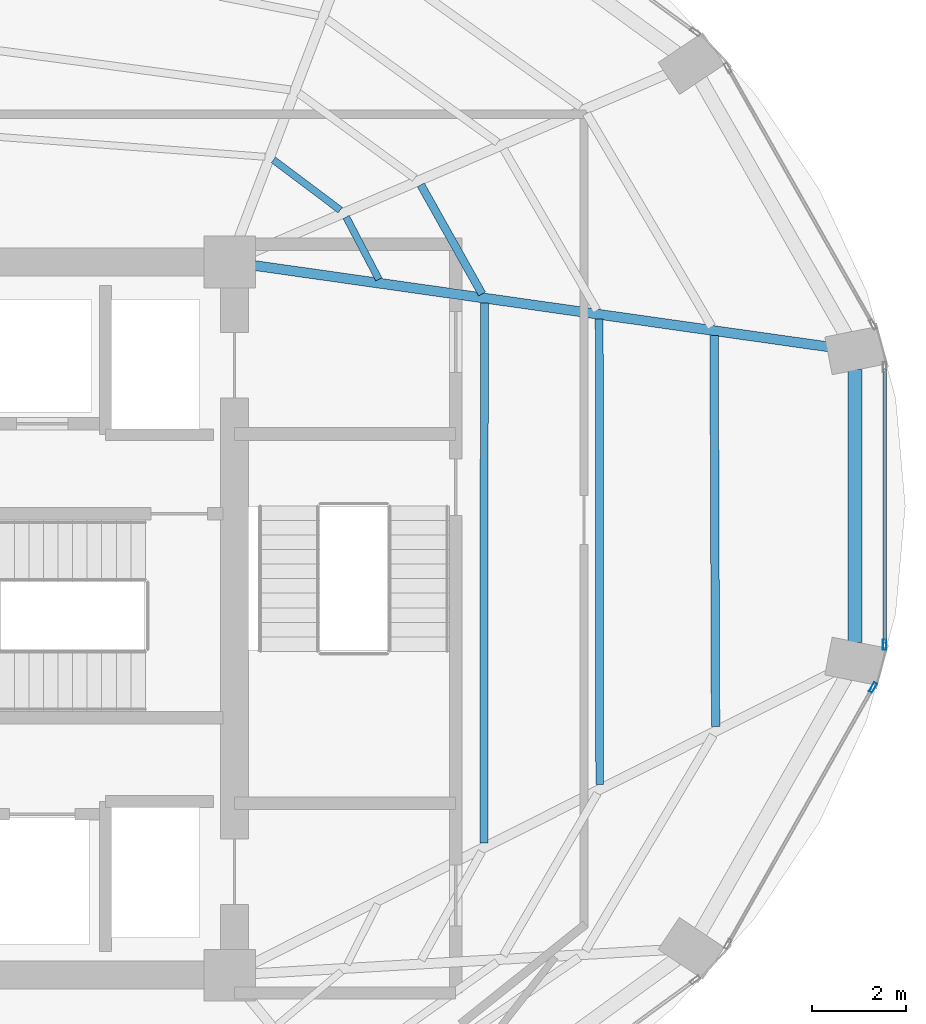
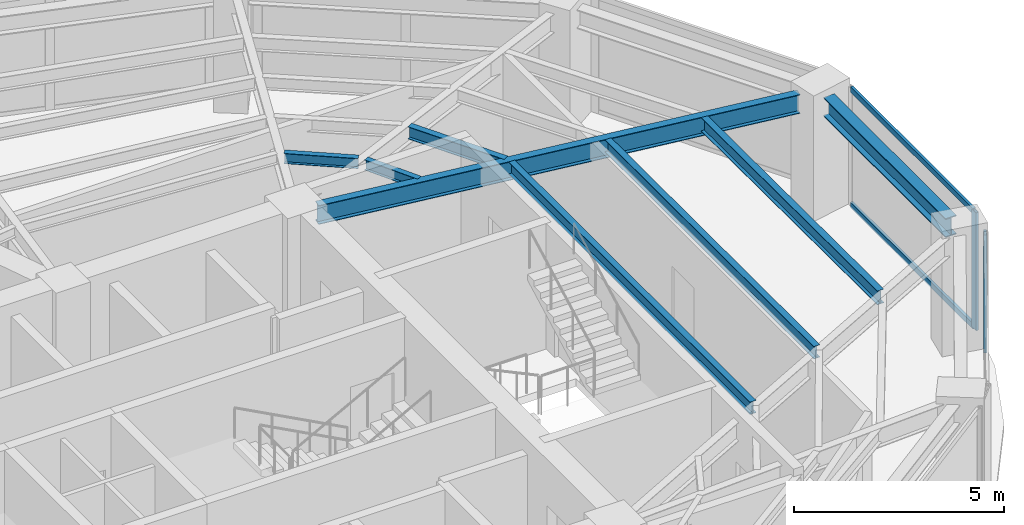
# One storey, part 10 of 20: 8 beams, 4 members, 2 elements without a shape of their own.
"""IFC4 building model written with IfcOpenShell, lengths in metres."""

from ifc_helpers import new_model, si_unit, direction, frame, origin, origin_2d, place, context, subcontext, project, spatial, hollow_rectangle, i_section, extrude, material, layer, layer_set, material_profile, profile_set, type_object, element, aggregate, save


model = new_model("IFC4")

# Units and contexts
model_context = context("Model", 3, precision=1e-05, world=origin(), true_north=direction((0.0, 1.0)))
body_context = subcontext(model_context, "Body", "Model", "MODEL_VIEW")
ifc_project = project(units=[si_unit("LENGTHUNIT", "METRE"), si_unit("AREAUNIT", "SQUARE_METRE"), si_unit("VOLUMEUNIT", "CUBIC_METRE"), si_unit("PLANEANGLEUNIT", "RADIAN"), si_unit("MASSUNIT", "GRAM", prefix="KILO")], contexts=[model_context])

# Site, building, storey
site_placement = place(None, origin())
site = spatial("IfcSite", under=ifc_project, at=site_placement, CompositionType="ELEMENT")
building_placement = place(site_placement, origin())
building = spatial("IfcBuilding", under=site, at=building_placement, Name="Lazwardi Medical Tower", CompositionType="ELEMENT")
storey_placement = place(building_placement, frame((0.0, 0.0, 182.06396484375)))
storey = spatial("IfcBuildingStorey", under=building, at=storey_placement, Name="L47", CompositionType="ELEMENT", Elevation=182.06396484375)

# Beams
ifc_material_1 = material(Name="Steel S355", Category="steel")
ifc_material_profile_1 = material_profile(ifc_material_1, i_section(OverallWidth=0.300048828125, OverallDepth=0.550048828125, WebThickness=0.014892578125, FlangeThickness=0.029052734375, at=origin_2d()), Name="HEB 550")
ifc_profile_set_1 = profile_set([ifc_material_profile_1], Name="Steel S355")
beam_type_1 = type_object("IfcBeamType", Name="BM-RB-Z3", PredefinedType="BEAM", material=ifc_profile_set_1)
beam_1_placement = place(storey_placement, frame((58.92578125, 27.48828125, 3.153076171875), z_axis=(0.0, 1.0, 0.0), x_axis=(-1.0, 0.0, 0.0)))
element("IfcBeam", 1, at=beam_1_placement, inside=storey, type_object=beam_type_1, Name="Ring beam RB-04 B04 L47", PredefinedType="BEAM", context=body_context, shape_type="SweptSolid", body=[
    extrude(i_section(OverallWidth=0.300048828125, OverallDepth=0.550048828125, WebThickness=0.014892578125, FlangeThickness=0.029052734375, at=origin_2d()), origin(), (0.0, 0.0, 1.0), 5.823486328125),
])
ifc_material_profile_2 = material_profile(ifc_material_1, i_section(OverallWidth=0.2099609375, OverallDepth=0.550048828125, WebThickness=0.010986328125, FlangeThickness=0.01708984375, at=origin_2d()), Name="IPE 550")
ifc_profile_set_2 = profile_set([ifc_material_profile_2], Name="Steel S355")
beam_type_2 = type_object("IfcBeamType", Name="BM-RG-W2", PredefinedType="BEAM", material=ifc_profile_set_2)
beam_2_placement = place(storey_placement, frame((58.371337890625, 33.790283203125, 3.153076171875), z_axis=(-0.99010958763, 0.140296131389, 0.0), x_axis=(-0.140296131389, -0.99010958763, 0.0)))
element("IfcBeam", 2, at=beam_2_placement, inside=storey, type_object=beam_type_2, Name="Radial girder RG-03 R05 L47", PredefinedType="BEAM", context=body_context, shape_type="SweptSolid", body=[
    extrude(i_section(OverallWidth=0.2099609375, OverallDepth=0.550048828125, WebThickness=0.010986328125, FlangeThickness=0.01708984375, at=origin_2d()), origin(), (0.0, 0.0, 1.0), 12.364013671875),
])
ifc_material_profile_3 = material_profile(ifc_material_1, i_section(OverallWidth=0.179931640625, OverallDepth=0.39990234375, WebThickness=0.008544921875, FlangeThickness=0.013427734375, at=origin_2d()), Name="IPE 400")
ifc_profile_set_3 = profile_set([ifc_material_profile_3], Name="Steel S355")
beam_type_3 = type_object("IfcBeamType", Name="BM-SJ-01", PredefinedType="JOIST", material=ifc_profile_set_3)
beam_3_placement = place(storey_placement, frame((55.95556640625, 25.69775390625, 3.22802734375), z_axis=(-0.003864366017, 0.99999253331, 0.0), x_axis=(-0.99999253331, -0.003864366017, 0.0)))
element("IfcBeam", 3, at=beam_3_placement, inside=storey, type_object=beam_type_3, Name="Secondary joist SJ-01 R1 B04 L47", PredefinedType="JOIST", context=body_context, shape_type="SweptSolid", body=[
    extrude(i_section(OverallWidth=0.179931640625, OverallDepth=0.39990234375, WebThickness=0.008544921875, FlangeThickness=0.013427734375, at=origin_2d()), origin(), (0.0, 0.0, 1.0), 8.33935546875),
])
ifc_material_profile_4 = material_profile(ifc_material_1, i_section(OverallWidth=0.169921875, OverallDepth=0.360107421875, WebThickness=0.008056640625, FlangeThickness=0.0126953125, at=origin_2d()), Name="IPE 360")
ifc_profile_set_4 = profile_set([ifc_material_profile_4], Name="Steel S355")
beam_type_4 = type_object("IfcBeamType", Name="BM-SJ-02", PredefinedType="JOIST", material=ifc_profile_set_4)
beam_4_placement = place(storey_placement, frame((53.486328125, 24.458251953125, 3.248046875), z_axis=(-0.001156040156, 0.999999331785, 0.0), x_axis=(-0.999999331785, -0.001156040156, 0.0)))
element("IfcBeam", 4, at=beam_4_placement, inside=storey, type_object=beam_type_4, Name="Secondary joist SJ-02 R2 B04 L47", PredefinedType="JOIST", context=body_context, shape_type="SweptSolid", body=[
    extrude(i_section(OverallWidth=0.169921875, OverallDepth=0.360107421875, WebThickness=0.008056640625, FlangeThickness=0.0126953125, at=origin_2d()), origin(), (0.0, 0.0, 1.0), 9.92578125),
])
beam_5_placement = place(storey_placement, frame((51.01708984375, 23.21875, 3.248046875), z_axis=(0.000805852776, 0.999999675301, 0.0), x_axis=(-0.999999675301, 0.000805852776, 0.0)))
element("IfcBeam", 5, at=beam_5_placement, inside=storey, type_object=beam_type_4, Name="Secondary joist SJ-02 R3 B04 L47", PredefinedType="JOIST", context=body_context, shape_type="SweptSolid", body=[
    extrude(i_section(OverallWidth=0.169921875, OverallDepth=0.360107421875, WebThickness=0.008056640625, FlangeThickness=0.0126953125, at=origin_2d()), origin(), (0.0, 0.0, 1.0), 11.512451171875),
])
beam_6_placement = place(storey_placement, frame((50.977294921875, 34.918212890625, 3.248046875), z_axis=(-0.489408945026, 0.872054404569, 0.0), x_axis=(-0.872054404569, -0.489408945026, 0.0)))
element("IfcBeam", 6, at=beam_6_placement, inside=storey, type_object=beam_type_4, Name="Secondary joist SJ-02 R3 B05 L47", PredefinedType="JOIST", context=body_context, shape_type="SweptSolid", body=[
    extrude(i_section(OverallWidth=0.169921875, OverallDepth=0.360107421875, WebThickness=0.008056640625, FlangeThickness=0.0126953125, at=origin_2d()), origin(), (0.0, 0.0, 1.0), 2.666259765625),
])
ifc_material_profile_5 = material_profile(ifc_material_1, i_section(OverallWidth=0.14990234375, OverallDepth=0.300048828125, WebThickness=0.007080078125, FlangeThickness=0.0107421875, at=origin_2d()), Name="IPE 300")
ifc_profile_set_5 = profile_set([ifc_material_profile_5], Name="Steel S355")
beam_type_5 = type_object("IfcBeamType", Name="BM-SJ-03", PredefinedType="JOIST", material=ifc_profile_set_5)
beam_7_placement = place(storey_placement, frame((48.7763671875, 35.231689453125, 3.278076171875), z_axis=(-0.464469748171, 0.885588986513, 0.0), x_axis=(-0.885588986513, -0.464469748171, 0.0)))
element("IfcBeam", 7, at=beam_7_placement, inside=storey, type_object=beam_type_5, Name="Secondary joist SJ-03 R4 B05 L47", PredefinedType="JOIST", context=body_context, shape_type="SweptSolid", body=[
    extrude(i_section(OverallWidth=0.14990234375, OverallDepth=0.300048828125, WebThickness=0.007080078125, FlangeThickness=0.0107421875, at=origin_2d()), origin(), (0.0, 0.0, 1.0), 1.498046875),
])
beam_8_placement = place(storey_placement, frame((47.9541015625, 36.70703125, 3.278076171875), z_axis=(-0.799884834751, 0.600153522972, 0.0), x_axis=(-0.600153522972, -0.799884834751, 0.0)))
element("IfcBeam", 8, at=beam_8_placement, inside=storey, type_object=beam_type_5, Name="Secondary joist SJ-03 R4 B06 L47", PredefinedType="JOIST", context=body_context, shape_type="SweptSolid", body=[
    extrude(i_section(OverallWidth=0.14990234375, OverallDepth=0.300048828125, WebThickness=0.007080078125, FlangeThickness=0.0107421875, at=origin_2d()), origin(), (0.0, 0.0, 1.0), 1.781005859375),
])

# Curtain wall, member
ifc_material_2 = material(Name="Anodised bronze aluminium and solar control glazing", Category="aluminium")
ifc_layer = layer(ifc_material_2, 0.195068359375)
ifc_layer_set = layer_set([ifc_layer], Name="Anodised bronze aluminium and solar control glazing")
curtain_wall_type = type_object("IfcCurtainWallType", Name="CW-SYS-03", PredefinedType="NOTDEFINED", material=ifc_layer_set)
curtain_wall_1_placement = place(storey_placement, origin())
curtain_wall_1 = element("IfcCurtainWall", 9, at=curtain_wall_1_placement, inside=storey, type_object=curtain_wall_type, Name="L47 Unitised bronze curtain wall CW-03", PredefinedType="NOTDEFINED")
ifc_material_3 = material(Name="Anodised bronze aluminium", Category="aluminium")
ifc_material_profile_6 = material_profile(ifc_material_3, hollow_rectangle(XDim=0.074951171875, YDim=0.219970703125, WallThickness=0.00390625, at=origin_2d()), Name="ALU-MULLION 220x75x4")
ifc_profile_set_6 = profile_set([ifc_material_profile_6], Name="Anodised bronze aluminium")
member_type_1 = type_object("IfcMemberType", Name="CW-MUL-01", PredefinedType="MULLION", material=ifc_profile_set_6)
member_1_placement = place(storey_placement, frame((59.31103515625, 26.53271484375, 0.0), z_axis=(0.0, 0.0, 1.0), x_axis=(-0.870418989303, 0.492311672683, 0.0)))
member_1 = element("IfcMember", 10, at=member_1_placement, type_object=member_type_1, Name="CW-03 mullion 2", PredefinedType="MULLION", context=body_context, shape_type="SweptSolid", body=[
    extrude(hollow_rectangle(XDim=0.074951171875, YDim=0.219970703125, WallThickness=0.00390625, at=origin_2d()), origin(), (0.0, 0.0, 1.0), 3.427978515625),
])
aggregate(curtain_wall_1, [member_1])

# Curtain wall, members
curtain_wall_2_placement = place(storey_placement, origin())
curtain_wall_2 = element("IfcCurtainWall", 11, at=curtain_wall_2_placement, inside=storey, type_object=curtain_wall_type, Name="L47 Unitised bronze curtain wall CW-03", PredefinedType="NOTDEFINED")
member_2_placement = place(storey_placement, frame((59.5576171875, 27.442138671875, 0.0), z_axis=(0.0, 0.0, 1.0), x_axis=(-1.0, 0.0, 0.0)))
member_2 = element("IfcMember", 12, at=member_2_placement, type_object=member_type_1, Name="CW-03 mullion 1", PredefinedType="MULLION", context=body_context, shape_type="SweptSolid", body=[
    extrude(hollow_rectangle(XDim=0.074951171875, YDim=0.219970703125, WallThickness=0.00390625, at=origin_2d()), origin(), (0.0, 0.0, 1.0), 3.427978515625),
])
ifc_material_profile_7 = material_profile(ifc_material_3, hollow_rectangle(XDim=0.074951171875, YDim=0.159912109375, WallThickness=0.00390625, at=origin_2d()), Name="ALU-TRANSOM 160x75x4")
ifc_profile_set_7 = profile_set([ifc_material_profile_7], Name="Anodised bronze aluminium")
member_type_2 = type_object("IfcMemberType", Name="CW-TRN-01", PredefinedType="USERDEFINED", material=ifc_profile_set_7)
member_3_placement = place(storey_placement, frame((59.5576171875, 27.4794921875, 0.03759765625), z_axis=(0.0, 1.0, 0.0), x_axis=(-1.0, 0.0, 0.0)))
member_3 = element("IfcMember", 13, at=member_3_placement, type_object=member_type_2, Name="CW-03 transom 1.1", ObjectType="TRANSOM", PredefinedType="USERDEFINED", context=body_context, shape_type="SweptSolid", body=[
    extrude(hollow_rectangle(XDim=0.074951171875, YDim=0.159912109375, WallThickness=0.00390625, at=origin_2d()), origin(), (0.0, 0.0, 1.0), 5.8408203125),
])
member_4_placement = place(storey_placement, frame((59.5576171875, 27.4794921875, 3.390625), z_axis=(0.0, 1.0, 0.0), x_axis=(-1.0, 0.0, 0.0)))
member_4 = element("IfcMember", 14, at=member_4_placement, type_object=member_type_2, Name="CW-03 transom 1.2", ObjectType="TRANSOM", PredefinedType="USERDEFINED", context=body_context, shape_type="SweptSolid", body=[
    extrude(hollow_rectangle(XDim=0.074951171875, YDim=0.159912109375, WallThickness=0.00390625, at=origin_2d()), origin(), (0.0, 0.0, 1.0), 5.8408203125),
])
aggregate(curtain_wall_2, [member_2, member_3, member_4])

save(model, "model.ifc")
